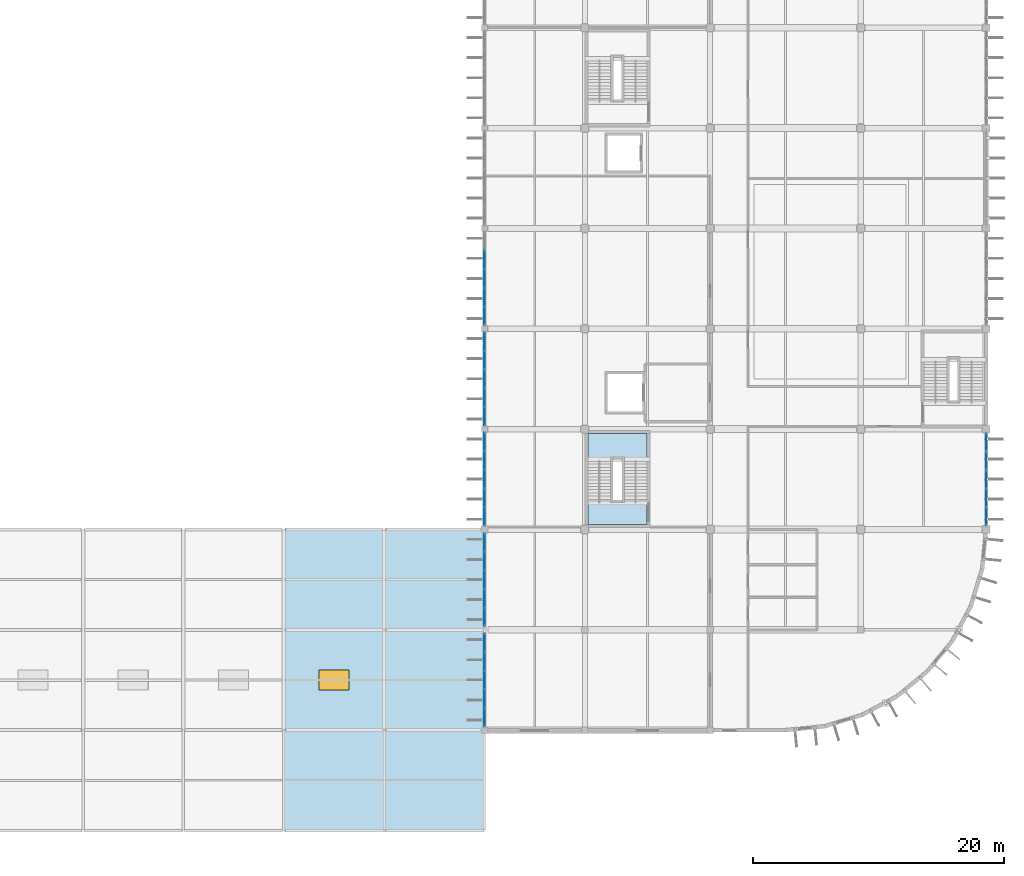
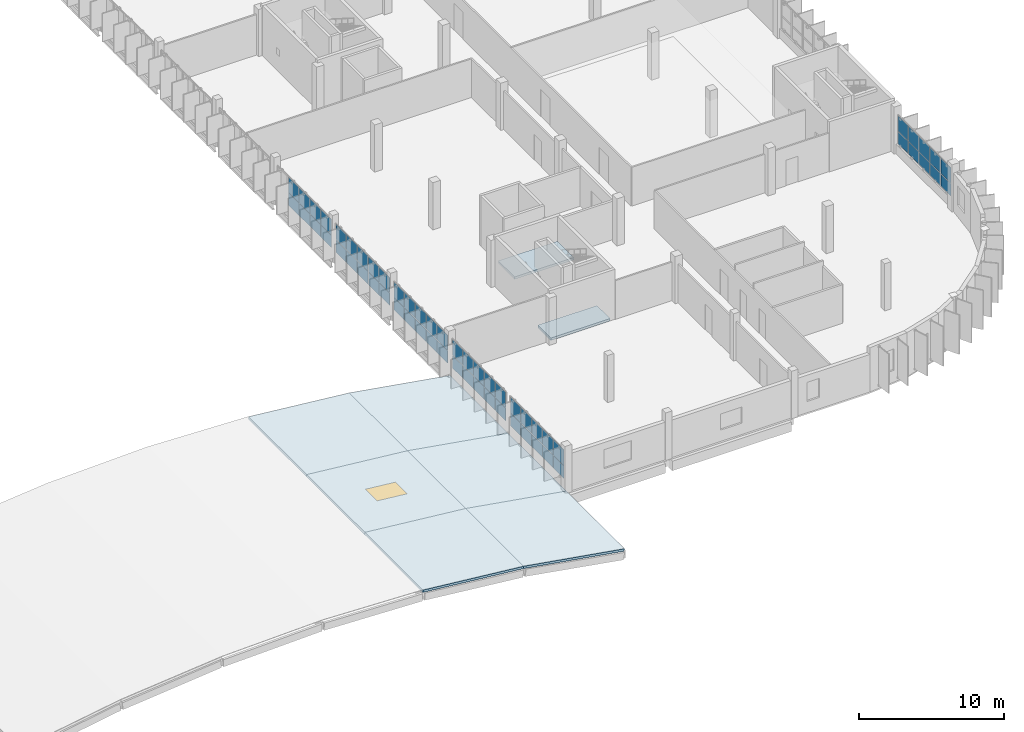
# One storey, part 42 of 66: 58 plates, 8 slabs, 1 window, 1 opening, 7 elements without a shape of their own.
"""IFC4 building model written with IfcOpenShell, lengths in metres."""

from ifc_helpers import new_model, si_unit, direction, frame, origin, origin_2d, place, context, subcontext, project, spatial, polyline, rectangle, outline, extrude, material, layer, layer_set, type_object, element, fill, aggregate, save


model = new_model("IFC4")

# Units and contexts
model_context = context("Model", 3, precision=1e-05, world=origin(), true_north=direction((0.0, 1.0)))
body_context = subcontext(model_context, "Body", "Model", "MODEL_VIEW")
ifc_project = project(units=[si_unit("LENGTHUNIT", "METRE"), si_unit("AREAUNIT", "SQUARE_METRE"), si_unit("VOLUMEUNIT", "CUBIC_METRE"), si_unit("PLANEANGLEUNIT", "RADIAN"), si_unit("MASSUNIT", "GRAM", prefix="KILO")], contexts=[model_context])

# Site, building, storey
site_placement = place(None, origin())
site = spatial("IfcSite", under=ifc_project, at=site_placement, CompositionType="ELEMENT")
building_placement = place(site_placement, origin())
building = spatial("IfcBuilding", under=site, at=building_placement, Name="Drelvana Railside Aquatics Centre", CompositionType="ELEMENT")
storey_placement = place(building_placement, frame((0.0, 0.0, 10.199951171875)))
storey = spatial("IfcBuildingStorey", under=building, at=storey_placement, Name="L02", CompositionType="ELEMENT", Elevation=10.199951171875)

# Curtain wall, plates
ifc_material_1 = material(Name="Bronze-anodised aluminium curtain wall", Category="aluminium")
ifc_layer_1 = layer(ifc_material_1, 0.175048828125, Name="Bronze-anodised aluminium curtain wall")
ifc_layer_set_1 = layer_set([ifc_layer_1], Name="Bronze-anodised aluminium curtain wall")
curtain_wall_type = type_object("IfcCurtainWallType", Name="CW-Z6-WING", PredefinedType="NOTDEFINED", material=ifc_layer_set_1)
curtain_wall_1_placement = place(storey_placement, origin())
curtain_wall_1 = element("IfcCurtainWall", 1, at=curtain_wall_1_placement, inside=storey, type_object=curtain_wall_type, Name="Curtain wall CW-06-135", PredefinedType="NOTDEFINED")
ifc_material_2 = material(Name="Double-glazed low-e solar-control glass", Category="glass")
ifc_layer_2 = layer(ifc_material_2, 0.02392578125, Name="Double-glazed low-e solar-control glass")
ifc_layer_set_2 = layer_set([ifc_layer_2], Name="Double-glazed low-e solar-control glass")
plate_type = type_object("IfcPlateType", Name="CW-Z6-WING-PAN", PredefinedType="CURTAIN_PANEL", material=ifc_layer_set_2)
plate_1_placement = place(storey_placement, frame((144.0, 9.031494140625, 0.84912109375), z_axis=(0.0, 0.0, 1.0), x_axis=(0.0, 1.0, 0.0)))
plate_1 = element("IfcPlate", 2, at=plate_1_placement, type_object=plate_type, Name="CW-06 panel 1.1", PredefinedType="CURTAIN_PANEL", context=body_context, shape_type="SweptSolid", body=[
    extrude(rectangle(XDim=1.40478515625, YDim=0.02392578125, at=origin_2d()), origin(), (0.0, 0.0, 1.0), 1.048095703125),
])
plate_2_placement = place(storey_placement, frame((144.0, 9.031494140625, 1.94677734375), z_axis=(0.0, 0.0, 1.0), x_axis=(0.0, 1.0, 0.0)))
plate_2 = element("IfcPlate", 3, at=plate_2_placement, type_object=plate_type, Name="CW-06 panel 1.2", PredefinedType="CURTAIN_PANEL", context=body_context, shape_type="SweptSolid", body=[
    extrude(rectangle(XDim=1.40478515625, YDim=0.02392578125, at=origin_2d()), origin(), (0.0, 0.0, 1.0), 1.298095703125),
])
plate_3_placement = place(storey_placement, frame((144.0, 10.507568359375, 0.84912109375), z_axis=(0.0, 0.0, 1.0), x_axis=(0.0, 1.0, 0.0)))
plate_3 = element("IfcPlate", 4, at=plate_3_placement, type_object=plate_type, Name="CW-06 panel 2.1", PredefinedType="CURTAIN_PANEL", context=body_context, shape_type="SweptSolid", body=[
    extrude(rectangle(XDim=1.4375, YDim=0.02392578125, at=origin_2d()), origin(), (0.0, 0.0, 1.0), 1.048095703125),
])
plate_4_placement = place(storey_placement, frame((144.0, 10.507568359375, 1.94677734375), z_axis=(0.0, 0.0, 1.0), x_axis=(0.0, 1.0, 0.0)))
plate_4 = element("IfcPlate", 5, at=plate_4_placement, type_object=plate_type, Name="CW-06 panel 2.2", PredefinedType="CURTAIN_PANEL", context=body_context, shape_type="SweptSolid", body=[
    extrude(rectangle(XDim=1.4375, YDim=0.02392578125, at=origin_2d()), origin(), (0.0, 0.0, 1.0), 1.298095703125),
])
plate_5_placement = place(storey_placement, frame((144.0, 12.0, 0.84912109375), z_axis=(0.0, 0.0, 1.0), x_axis=(0.0, 1.0, 0.0)))
plate_5 = element("IfcPlate", 6, at=plate_5_placement, type_object=plate_type, Name="CW-06 panel 3.1", PredefinedType="CURTAIN_PANEL", context=body_context, shape_type="SweptSolid", body=[
    extrude(rectangle(XDim=1.4375, YDim=0.02392578125, at=origin_2d()), origin(), (0.0, 0.0, 1.0), 1.048095703125),
])
plate_6_placement = place(storey_placement, frame((144.0, 12.0, 1.94677734375), z_axis=(0.0, 0.0, 1.0), x_axis=(0.0, 1.0, 0.0)))
plate_6 = element("IfcPlate", 7, at=plate_6_placement, type_object=plate_type, Name="CW-06 panel 3.2", PredefinedType="CURTAIN_PANEL", context=body_context, shape_type="SweptSolid", body=[
    extrude(rectangle(XDim=1.4375, YDim=0.02392578125, at=origin_2d()), origin(), (0.0, 0.0, 1.0), 1.298095703125),
])
plate_7_placement = place(storey_placement, frame((144.0, 13.492431640625, 0.84912109375), z_axis=(0.0, 0.0, 1.0), x_axis=(0.0, 1.0, 0.0)))
plate_7 = element("IfcPlate", 8, at=plate_7_placement, type_object=plate_type, Name="CW-06 panel 4.1", PredefinedType="CURTAIN_PANEL", context=body_context, shape_type="SweptSolid", body=[
    extrude(rectangle(XDim=1.4375, YDim=0.02392578125, at=origin_2d()), origin(), (0.0, 0.0, 1.0), 1.048095703125),
])
plate_8_placement = place(storey_placement, frame((144.0, 13.492431640625, 1.94677734375), z_axis=(0.0, 0.0, 1.0), x_axis=(0.0, 1.0, 0.0)))
plate_8 = element("IfcPlate", 9, at=plate_8_placement, type_object=plate_type, Name="CW-06 panel 4.2", PredefinedType="CURTAIN_PANEL", context=body_context, shape_type="SweptSolid", body=[
    extrude(rectangle(XDim=1.4375, YDim=0.02392578125, at=origin_2d()), origin(), (0.0, 0.0, 1.0), 1.298095703125),
])
plate_9_placement = place(storey_placement, frame((144.0, 14.968505859375, 0.84912109375), z_axis=(0.0, 0.0, 1.0), x_axis=(0.0, 1.0, 0.0)))
plate_9 = element("IfcPlate", 10, at=plate_9_placement, type_object=plate_type, Name="CW-06 panel 5.1", PredefinedType="CURTAIN_PANEL", context=body_context, shape_type="SweptSolid", body=[
    extrude(rectangle(XDim=1.40478515625, YDim=0.02392578125, at=origin_2d()), origin(), (0.0, 0.0, 1.0), 1.048095703125),
])
plate_10_placement = place(storey_placement, frame((144.0, 14.968505859375, 1.94677734375), z_axis=(0.0, 0.0, 1.0), x_axis=(0.0, 1.0, 0.0)))
plate_10 = element("IfcPlate", 11, at=plate_10_placement, type_object=plate_type, Name="CW-06 panel 5.2", PredefinedType="CURTAIN_PANEL", context=body_context, shape_type="SweptSolid", body=[
    extrude(rectangle(XDim=1.40478515625, YDim=0.02392578125, at=origin_2d()), origin(), (0.0, 0.0, 1.0), 1.298095703125),
])
aggregate(curtain_wall_1, [plate_1, plate_2, plate_3, plate_4, plate_5, plate_6, plate_7, plate_8, plate_9, plate_10])

curtain_wall_2_placement = place(storey_placement, origin())
curtain_wall_2 = element("IfcCurtainWall", 12, at=curtain_wall_2_placement, inside=storey, type_object=curtain_wall_type, Name="Curtain wall CW-06-136", PredefinedType="NOTDEFINED")
plate_11_placement = place(storey_placement, frame((144.0, 17.031494140625, 0.84912109375), z_axis=(0.0, 0.0, 1.0), x_axis=(0.0, 1.0, 0.0)))
plate_11 = element("IfcPlate", 13, at=plate_11_placement, type_object=plate_type, Name="CW-06 panel 1.1", PredefinedType="CURTAIN_PANEL", context=body_context, shape_type="SweptSolid", body=[
    extrude(rectangle(XDim=1.40478515625, YDim=0.02392578125, at=origin_2d()), origin(), (0.0, 0.0, 1.0), 1.048095703125),
])
plate_12_placement = place(storey_placement, frame((144.0, 17.031494140625, 1.94677734375), z_axis=(0.0, 0.0, 1.0), x_axis=(0.0, 1.0, 0.0)))
plate_12 = element("IfcPlate", 14, at=plate_12_placement, type_object=plate_type, Name="CW-06 panel 1.2", PredefinedType="CURTAIN_PANEL", context=body_context, shape_type="SweptSolid", body=[
    extrude(rectangle(XDim=1.40478515625, YDim=0.02392578125, at=origin_2d()), origin(), (0.0, 0.0, 1.0), 1.298095703125),
])
plate_13_placement = place(storey_placement, frame((144.0, 18.507568359375, 0.84912109375), z_axis=(0.0, 0.0, 1.0), x_axis=(0.0, 1.0, 0.0)))
plate_13 = element("IfcPlate", 15, at=plate_13_placement, type_object=plate_type, Name="CW-06 panel 2.1", PredefinedType="CURTAIN_PANEL", context=body_context, shape_type="SweptSolid", body=[
    extrude(rectangle(XDim=1.4375, YDim=0.02392578125, at=origin_2d()), origin(), (0.0, 0.0, 1.0), 1.048095703125),
])
plate_14_placement = place(storey_placement, frame((144.0, 18.507568359375, 1.94677734375), z_axis=(0.0, 0.0, 1.0), x_axis=(0.0, 1.0, 0.0)))
plate_14 = element("IfcPlate", 16, at=plate_14_placement, type_object=plate_type, Name="CW-06 panel 2.2", PredefinedType="CURTAIN_PANEL", context=body_context, shape_type="SweptSolid", body=[
    extrude(rectangle(XDim=1.4375, YDim=0.02392578125, at=origin_2d()), origin(), (0.0, 0.0, 1.0), 1.298095703125),
])
plate_15_placement = place(storey_placement, frame((144.0, 20.0, 0.84912109375), z_axis=(0.0, 0.0, 1.0), x_axis=(0.0, 1.0, 0.0)))
plate_15 = element("IfcPlate", 17, at=plate_15_placement, type_object=plate_type, Name="CW-06 panel 3.1", PredefinedType="CURTAIN_PANEL", context=body_context, shape_type="SweptSolid", body=[
    extrude(rectangle(XDim=1.4375, YDim=0.02392578125, at=origin_2d()), origin(), (0.0, 0.0, 1.0), 1.048095703125),
])
plate_16_placement = place(storey_placement, frame((144.0, 20.0, 1.94677734375), z_axis=(0.0, 0.0, 1.0), x_axis=(0.0, 1.0, 0.0)))
plate_16 = element("IfcPlate", 18, at=plate_16_placement, type_object=plate_type, Name="CW-06 panel 3.2", PredefinedType="CURTAIN_PANEL", context=body_context, shape_type="SweptSolid", body=[
    extrude(rectangle(XDim=1.4375, YDim=0.02392578125, at=origin_2d()), origin(), (0.0, 0.0, 1.0), 1.298095703125),
])
plate_17_placement = place(storey_placement, frame((144.0, 21.492431640625, 0.84912109375), z_axis=(0.0, 0.0, 1.0), x_axis=(0.0, 1.0, 0.0)))
plate_17 = element("IfcPlate", 19, at=plate_17_placement, type_object=plate_type, Name="CW-06 panel 4.1", PredefinedType="CURTAIN_PANEL", context=body_context, shape_type="SweptSolid", body=[
    extrude(rectangle(XDim=1.4375, YDim=0.02392578125, at=origin_2d()), origin(), (0.0, 0.0, 1.0), 1.048095703125),
])
plate_18_placement = place(storey_placement, frame((144.0, 21.492431640625, 1.94677734375), z_axis=(0.0, 0.0, 1.0), x_axis=(0.0, 1.0, 0.0)))
plate_18 = element("IfcPlate", 20, at=plate_18_placement, type_object=plate_type, Name="CW-06 panel 4.2", PredefinedType="CURTAIN_PANEL", context=body_context, shape_type="SweptSolid", body=[
    extrude(rectangle(XDim=1.4375, YDim=0.02392578125, at=origin_2d()), origin(), (0.0, 0.0, 1.0), 1.298095703125),
])
plate_19_placement = place(storey_placement, frame((144.0, 22.968505859375, 0.84912109375), z_axis=(0.0, 0.0, 1.0), x_axis=(0.0, 1.0, 0.0)))
plate_19 = element("IfcPlate", 21, at=plate_19_placement, type_object=plate_type, Name="CW-06 panel 5.1", PredefinedType="CURTAIN_PANEL", context=body_context, shape_type="SweptSolid", body=[
    extrude(rectangle(XDim=1.40478515625, YDim=0.02392578125, at=origin_2d()), origin(), (0.0, 0.0, 1.0), 1.048095703125),
])
plate_20_placement = place(storey_placement, frame((144.0, 22.968505859375, 1.94677734375), z_axis=(0.0, 0.0, 1.0), x_axis=(0.0, 1.0, 0.0)))
plate_20 = element("IfcPlate", 22, at=plate_20_placement, type_object=plate_type, Name="CW-06 panel 5.2", PredefinedType="CURTAIN_PANEL", context=body_context, shape_type="SweptSolid", body=[
    extrude(rectangle(XDim=1.40478515625, YDim=0.02392578125, at=origin_2d()), origin(), (0.0, 0.0, 1.0), 1.298095703125),
])
aggregate(curtain_wall_2, [plate_11, plate_12, plate_13, plate_14, plate_15, plate_16, plate_17, plate_18, plate_19, plate_20])

curtain_wall_3_placement = place(storey_placement, origin())
curtain_wall_3 = element("IfcCurtainWall", 23, at=curtain_wall_3_placement, inside=storey, type_object=curtain_wall_type, Name="Curtain wall CW-06-138", PredefinedType="NOTDEFINED")
plate_21_placement = place(storey_placement, frame((144.0, 25.033935546875, 0.84912109375), z_axis=(0.0, 0.0, 1.0), x_axis=(0.0, 1.0, 0.0)))
plate_21 = element("IfcPlate", 24, at=plate_21_placement, type_object=plate_type, Name="CW-06 panel 1.1", PredefinedType="CURTAIN_PANEL", context=body_context, shape_type="SweptSolid", body=[
    extrude(rectangle(XDim=1.409912109375, YDim=0.02392578125, at=origin_2d()), origin(), (0.0, 0.0, 1.0), 1.02490234375),
])
plate_22_placement = place(storey_placement, frame((144.0, 25.033935546875, 1.924072265625), z_axis=(0.0, 0.0, 1.0), x_axis=(0.0, 1.0, 0.0)))
plate_22 = element("IfcPlate", 25, at=plate_22_placement, type_object=plate_type, Name="CW-06 panel 1.2", PredefinedType="CURTAIN_PANEL", context=body_context, shape_type="SweptSolid", body=[
    extrude(rectangle(XDim=1.409912109375, YDim=0.02392578125, at=origin_2d()), origin(), (0.0, 0.0, 1.0), 1.27099609375),
])
plate_23_placement = place(storey_placement, frame((144.0, 26.51513671875, 0.84912109375), z_axis=(0.0, 0.0, 1.0), x_axis=(0.0, 1.0, 0.0)))
plate_23 = element("IfcPlate", 26, at=plate_23_placement, type_object=plate_type, Name="CW-06 panel 2.1", PredefinedType="CURTAIN_PANEL", context=body_context, shape_type="SweptSolid", body=[
    extrude(rectangle(XDim=1.4423828125, YDim=0.02392578125, at=origin_2d()), origin(), (0.0, 0.0, 1.0), 1.02490234375),
])
plate_24_placement = place(storey_placement, frame((144.0, 26.51513671875, 1.924072265625), z_axis=(0.0, 0.0, 1.0), x_axis=(0.0, 1.0, 0.0)))
plate_24 = element("IfcPlate", 27, at=plate_24_placement, type_object=plate_type, Name="CW-06 panel 2.2", PredefinedType="CURTAIN_PANEL", context=body_context, shape_type="SweptSolid", body=[
    extrude(rectangle(XDim=1.4423828125, YDim=0.02392578125, at=origin_2d()), origin(), (0.0, 0.0, 1.0), 1.27099609375),
])
plate_25_placement = place(storey_placement, frame((144.0, 28.012451171875, 0.84912109375), z_axis=(0.0, 0.0, 1.0), x_axis=(0.0, 1.0, 0.0)))
plate_25 = element("IfcPlate", 28, at=plate_25_placement, type_object=plate_type, Name="CW-06 panel 3.1", PredefinedType="CURTAIN_PANEL", context=body_context, shape_type="SweptSolid", body=[
    extrude(rectangle(XDim=1.4423828125, YDim=0.02392578125, at=origin_2d()), origin(), (0.0, 0.0, 1.0), 1.02490234375),
])
plate_26_placement = place(storey_placement, frame((144.0, 28.012451171875, 1.924072265625), z_axis=(0.0, 0.0, 1.0), x_axis=(0.0, 1.0, 0.0)))
plate_26 = element("IfcPlate", 29, at=plate_26_placement, type_object=plate_type, Name="CW-06 panel 3.2", PredefinedType="CURTAIN_PANEL", context=body_context, shape_type="SweptSolid", body=[
    extrude(rectangle(XDim=1.4423828125, YDim=0.02392578125, at=origin_2d()), origin(), (0.0, 0.0, 1.0), 1.27099609375),
])
plate_27_placement = place(storey_placement, frame((144.0, 29.510009765625, 0.84912109375), z_axis=(0.0, 0.0, 1.0), x_axis=(0.0, 1.0, 0.0)))
plate_27 = element("IfcPlate", 30, at=plate_27_placement, type_object=plate_type, Name="CW-06 panel 4.1", PredefinedType="CURTAIN_PANEL", context=body_context, shape_type="SweptSolid", body=[
    extrude(rectangle(XDim=1.4423828125, YDim=0.02392578125, at=origin_2d()), origin(), (0.0, 0.0, 1.0), 1.02490234375),
])
plate_28_placement = place(storey_placement, frame((144.0, 29.510009765625, 1.924072265625), z_axis=(0.0, 0.0, 1.0), x_axis=(0.0, 1.0, 0.0)))
plate_28 = element("IfcPlate", 31, at=plate_28_placement, type_object=plate_type, Name="CW-06 panel 4.2", PredefinedType="CURTAIN_PANEL", context=body_context, shape_type="SweptSolid", body=[
    extrude(rectangle(XDim=1.4423828125, YDim=0.02392578125, at=origin_2d()), origin(), (0.0, 0.0, 1.0), 1.27099609375),
])
plate_29_placement = place(storey_placement, frame((144.0, 30.990966796875, 0.84912109375), z_axis=(0.0, 0.0, 1.0), x_axis=(0.0, 1.0, 0.0)))
plate_29 = element("IfcPlate", 32, at=plate_29_placement, type_object=plate_type, Name="CW-06 panel 5.1", PredefinedType="CURTAIN_PANEL", context=body_context, shape_type="SweptSolid", body=[
    extrude(rectangle(XDim=1.409912109375, YDim=0.02392578125, at=origin_2d()), origin(), (0.0, 0.0, 1.0), 1.02490234375),
])
plate_30_placement = place(storey_placement, frame((144.0, 30.990966796875, 1.924072265625), z_axis=(0.0, 0.0, 1.0), x_axis=(0.0, 1.0, 0.0)))
plate_30 = element("IfcPlate", 33, at=plate_30_placement, type_object=plate_type, Name="CW-06 panel 5.2", PredefinedType="CURTAIN_PANEL", context=body_context, shape_type="SweptSolid", body=[
    extrude(rectangle(XDim=1.409912109375, YDim=0.02392578125, at=origin_2d()), origin(), (0.0, 0.0, 1.0), 1.27099609375),
])
aggregate(curtain_wall_3, [plate_21, plate_22, plate_23, plate_24, plate_25, plate_26, plate_27, plate_28, plate_29, plate_30])

curtain_wall_4_placement = place(storey_placement, origin())
curtain_wall_4 = element("IfcCurtainWall", 34, at=curtain_wall_4_placement, inside=storey, type_object=curtain_wall_type, Name="Curtain wall CW-06-142", PredefinedType="NOTDEFINED")
plate_31_placement = place(storey_placement, frame((144.0, 33.011474609375, 0.84912109375), z_axis=(0.0, 0.0, 1.0), x_axis=(0.0, 1.0, 0.0)))
plate_31 = element("IfcPlate", 35, at=plate_31_placement, type_object=plate_type, Name="CW-06 panel 1.1", PredefinedType="CURTAIN_PANEL", context=body_context, shape_type="SweptSolid", body=[
    extrude(rectangle(XDim=1.414794921875, YDim=0.02392578125, at=origin_2d()), origin(), (0.0, 0.0, 1.0), 1.02490234375),
])
plate_32_placement = place(storey_placement, frame((144.0, 33.011474609375, 1.924072265625), z_axis=(0.0, 0.0, 1.0), x_axis=(0.0, 1.0, 0.0)))
plate_32 = element("IfcPlate", 36, at=plate_32_placement, type_object=plate_type, Name="CW-06 panel 1.2", PredefinedType="CURTAIN_PANEL", context=body_context, shape_type="SweptSolid", body=[
    extrude(rectangle(XDim=1.414794921875, YDim=0.02392578125, at=origin_2d()), origin(), (0.0, 0.0, 1.0), 1.27099609375),
])
plate_33_placement = place(storey_placement, frame((144.0, 34.49755859375, 0.84912109375), z_axis=(0.0, 0.0, 1.0), x_axis=(0.0, 1.0, 0.0)))
plate_33 = element("IfcPlate", 37, at=plate_33_placement, type_object=plate_type, Name="CW-06 panel 2.1", PredefinedType="CURTAIN_PANEL", context=body_context, shape_type="SweptSolid", body=[
    extrude(rectangle(XDim=1.447509765625, YDim=0.02392578125, at=origin_2d()), origin(), (0.0, 0.0, 1.0), 1.02490234375),
])
plate_34_placement = place(storey_placement, frame((144.0, 34.49755859375, 1.924072265625), z_axis=(0.0, 0.0, 1.0), x_axis=(0.0, 1.0, 0.0)))
plate_34 = element("IfcPlate", 38, at=plate_34_placement, type_object=plate_type, Name="CW-06 panel 2.2", PredefinedType="CURTAIN_PANEL", context=body_context, shape_type="SweptSolid", body=[
    extrude(rectangle(XDim=1.447509765625, YDim=0.02392578125, at=origin_2d()), origin(), (0.0, 0.0, 1.0), 1.27099609375),
])
plate_35_placement = place(storey_placement, frame((144.0, 36.0, 0.84912109375), z_axis=(0.0, 0.0, 1.0), x_axis=(0.0, 1.0, 0.0)))
plate_35 = element("IfcPlate", 39, at=plate_35_placement, type_object=plate_type, Name="CW-06 panel 3.1", PredefinedType="CURTAIN_PANEL", context=body_context, shape_type="SweptSolid", body=[
    extrude(rectangle(XDim=1.447509765625, YDim=0.02392578125, at=origin_2d()), origin(), (0.0, 0.0, 1.0), 1.02490234375),
])
plate_36_placement = place(storey_placement, frame((144.0, 36.0, 1.924072265625), z_axis=(0.0, 0.0, 1.0), x_axis=(0.0, 1.0, 0.0)))
plate_36 = element("IfcPlate", 40, at=plate_36_placement, type_object=plate_type, Name="CW-06 panel 3.2", PredefinedType="CURTAIN_PANEL", context=body_context, shape_type="SweptSolid", body=[
    extrude(rectangle(XDim=1.447509765625, YDim=0.02392578125, at=origin_2d()), origin(), (0.0, 0.0, 1.0), 1.27099609375),
])
plate_37_placement = place(storey_placement, frame((144.0, 37.50244140625, 0.84912109375), z_axis=(0.0, 0.0, 1.0), x_axis=(0.0, 1.0, 0.0)))
plate_37 = element("IfcPlate", 41, at=plate_37_placement, type_object=plate_type, Name="CW-06 panel 4.1", PredefinedType="CURTAIN_PANEL", context=body_context, shape_type="SweptSolid", body=[
    extrude(rectangle(XDim=1.447509765625, YDim=0.02392578125, at=origin_2d()), origin(), (0.0, 0.0, 1.0), 1.02490234375),
])
plate_38_placement = place(storey_placement, frame((144.0, 37.50244140625, 1.924072265625), z_axis=(0.0, 0.0, 1.0), x_axis=(0.0, 1.0, 0.0)))
plate_38 = element("IfcPlate", 42, at=plate_38_placement, type_object=plate_type, Name="CW-06 panel 4.2", PredefinedType="CURTAIN_PANEL", context=body_context, shape_type="SweptSolid", body=[
    extrude(rectangle(XDim=1.447509765625, YDim=0.02392578125, at=origin_2d()), origin(), (0.0, 0.0, 1.0), 1.27099609375),
])
plate_39_placement = place(storey_placement, frame((144.0, 38.988525390625, 0.84912109375), z_axis=(0.0, 0.0, 1.0), x_axis=(0.0, 1.0, 0.0)))
plate_39 = element("IfcPlate", 43, at=plate_39_placement, type_object=plate_type, Name="CW-06 panel 5.1", PredefinedType="CURTAIN_PANEL", context=body_context, shape_type="SweptSolid", body=[
    extrude(rectangle(XDim=1.414794921875, YDim=0.02392578125, at=origin_2d()), origin(), (0.0, 0.0, 1.0), 1.02490234375),
])
plate_40_placement = place(storey_placement, frame((144.0, 38.988525390625, 1.924072265625), z_axis=(0.0, 0.0, 1.0), x_axis=(0.0, 1.0, 0.0)))
plate_40 = element("IfcPlate", 44, at=plate_40_placement, type_object=plate_type, Name="CW-06 panel 5.2", PredefinedType="CURTAIN_PANEL", context=body_context, shape_type="SweptSolid", body=[
    extrude(rectangle(XDim=1.414794921875, YDim=0.02392578125, at=origin_2d()), origin(), (0.0, 0.0, 1.0), 1.27099609375),
])
aggregate(curtain_wall_4, [plate_31, plate_32, plate_33, plate_34, plate_35, plate_36, plate_37, plate_38, plate_39, plate_40])

curtain_wall_5_placement = place(storey_placement, origin())
curtain_wall_5 = element("IfcCurtainWall", 45, at=curtain_wall_5_placement, inside=storey, type_object=curtain_wall_type, Name="Curtain wall CW-06-146", PredefinedType="NOTDEFINED")
plate_41_placement = place(storey_placement, frame((144.0, 41.011474609375, 0.84912109375), z_axis=(0.0, 0.0, 1.0), x_axis=(0.0, 1.0, 0.0)))
plate_41 = element("IfcPlate", 46, at=plate_41_placement, type_object=plate_type, Name="CW-06 panel 1.1", PredefinedType="CURTAIN_PANEL", context=body_context, shape_type="SweptSolid", body=[
    extrude(rectangle(XDim=1.414794921875, YDim=0.02392578125, at=origin_2d()), origin(), (0.0, 0.0, 1.0), 1.02490234375),
])
plate_42_placement = place(storey_placement, frame((144.0, 41.011474609375, 1.924072265625), z_axis=(0.0, 0.0, 1.0), x_axis=(0.0, 1.0, 0.0)))
plate_42 = element("IfcPlate", 47, at=plate_42_placement, type_object=plate_type, Name="CW-06 panel 1.2", PredefinedType="CURTAIN_PANEL", context=body_context, shape_type="SweptSolid", body=[
    extrude(rectangle(XDim=1.414794921875, YDim=0.02392578125, at=origin_2d()), origin(), (0.0, 0.0, 1.0), 1.27099609375),
])
plate_43_placement = place(storey_placement, frame((144.0, 42.49755859375, 0.84912109375), z_axis=(0.0, 0.0, 1.0), x_axis=(0.0, 1.0, 0.0)))
plate_43 = element("IfcPlate", 48, at=plate_43_placement, type_object=plate_type, Name="CW-06 panel 2.1", PredefinedType="CURTAIN_PANEL", context=body_context, shape_type="SweptSolid", body=[
    extrude(rectangle(XDim=1.447509765625, YDim=0.02392578125, at=origin_2d()), origin(), (0.0, 0.0, 1.0), 1.02490234375),
])
plate_44_placement = place(storey_placement, frame((144.0, 42.49755859375, 1.924072265625), z_axis=(0.0, 0.0, 1.0), x_axis=(0.0, 1.0, 0.0)))
plate_44 = element("IfcPlate", 49, at=plate_44_placement, type_object=plate_type, Name="CW-06 panel 2.2", PredefinedType="CURTAIN_PANEL", context=body_context, shape_type="SweptSolid", body=[
    extrude(rectangle(XDim=1.447509765625, YDim=0.02392578125, at=origin_2d()), origin(), (0.0, 0.0, 1.0), 1.27099609375),
])
plate_45_placement = place(storey_placement, frame((144.0, 44.0, 0.84912109375), z_axis=(0.0, 0.0, 1.0), x_axis=(0.0, 1.0, 0.0)))
plate_45 = element("IfcPlate", 50, at=plate_45_placement, type_object=plate_type, Name="CW-06 panel 3.1", PredefinedType="CURTAIN_PANEL", context=body_context, shape_type="SweptSolid", body=[
    extrude(rectangle(XDim=1.447509765625, YDim=0.02392578125, at=origin_2d()), origin(), (0.0, 0.0, 1.0), 1.02490234375),
])
plate_46_placement = place(storey_placement, frame((144.0, 44.0, 1.924072265625), z_axis=(0.0, 0.0, 1.0), x_axis=(0.0, 1.0, 0.0)))
plate_46 = element("IfcPlate", 51, at=plate_46_placement, type_object=plate_type, Name="CW-06 panel 3.2", PredefinedType="CURTAIN_PANEL", context=body_context, shape_type="SweptSolid", body=[
    extrude(rectangle(XDim=1.447509765625, YDim=0.02392578125, at=origin_2d()), origin(), (0.0, 0.0, 1.0), 1.27099609375),
])
plate_47_placement = place(storey_placement, frame((144.0, 45.50244140625, 0.84912109375), z_axis=(0.0, 0.0, 1.0), x_axis=(0.0, 1.0, 0.0)))
plate_47 = element("IfcPlate", 52, at=plate_47_placement, type_object=plate_type, Name="CW-06 panel 4.1", PredefinedType="CURTAIN_PANEL", context=body_context, shape_type="SweptSolid", body=[
    extrude(rectangle(XDim=1.447509765625, YDim=0.02392578125, at=origin_2d()), origin(), (0.0, 0.0, 1.0), 1.02490234375),
])
plate_48_placement = place(storey_placement, frame((144.0, 45.50244140625, 1.924072265625), z_axis=(0.0, 0.0, 1.0), x_axis=(0.0, 1.0, 0.0)))
plate_48 = element("IfcPlate", 53, at=plate_48_placement, type_object=plate_type, Name="CW-06 panel 4.2", PredefinedType="CURTAIN_PANEL", context=body_context, shape_type="SweptSolid", body=[
    extrude(rectangle(XDim=1.447509765625, YDim=0.02392578125, at=origin_2d()), origin(), (0.0, 0.0, 1.0), 1.27099609375),
])
aggregate(curtain_wall_5, [plate_41, plate_42, plate_43, plate_44, plate_45, plate_46, plate_47, plate_48])

curtain_wall_6_placement = place(storey_placement, origin())
curtain_wall_6 = element("IfcCurtainWall", 54, at=curtain_wall_6_placement, inside=storey, type_object=curtain_wall_type, Name="Curtain wall CW-06-168", PredefinedType="NOTDEFINED")
plate_49_placement = place(storey_placement, frame((184.0, 25.051513671875, 0.84912109375), z_axis=(0.0, 0.0, 1.0), x_axis=(0.0, 1.0, 0.0)))
plate_49 = element("IfcPlate", 55, at=plate_49_placement, type_object=plate_type, Name="CW-06 panel 1.1", PredefinedType="CURTAIN_PANEL", context=body_context, shape_type="SweptSolid", body=[
    extrude(rectangle(XDim=1.39501953125, YDim=0.02392578125, at=origin_2d()), origin(), (0.0, 0.0, 1.0), 1.02490234375),
])
plate_50_placement = place(storey_placement, frame((184.0, 25.051513671875, 1.924072265625), z_axis=(0.0, 0.0, 1.0), x_axis=(0.0, 1.0, 0.0)))
plate_50 = element("IfcPlate", 56, at=plate_50_placement, type_object=plate_type, Name="CW-06 panel 1.2", PredefinedType="CURTAIN_PANEL", context=body_context, shape_type="SweptSolid", body=[
    extrude(rectangle(XDim=1.39501953125, YDim=0.02392578125, at=origin_2d()), origin(), (0.0, 0.0, 1.0), 1.27099609375),
])
plate_51_placement = place(storey_placement, frame((184.0, 26.517578125, 0.84912109375), z_axis=(0.0, 0.0, 1.0), x_axis=(0.0, 1.0, 0.0)))
plate_51 = element("IfcPlate", 57, at=plate_51_placement, type_object=plate_type, Name="CW-06 panel 2.1", PredefinedType="CURTAIN_PANEL", context=body_context, shape_type="SweptSolid", body=[
    extrude(rectangle(XDim=1.427490234375, YDim=0.02392578125, at=origin_2d()), origin(), (0.0, 0.0, 1.0), 1.02490234375),
])
plate_52_placement = place(storey_placement, frame((184.0, 26.517578125, 1.924072265625), z_axis=(0.0, 0.0, 1.0), x_axis=(0.0, 1.0, 0.0)))
plate_52 = element("IfcPlate", 58, at=plate_52_placement, type_object=plate_type, Name="CW-06 panel 2.2", PredefinedType="CURTAIN_PANEL", context=body_context, shape_type="SweptSolid", body=[
    extrude(rectangle(XDim=1.427490234375, YDim=0.02392578125, at=origin_2d()), origin(), (0.0, 0.0, 1.0), 1.27099609375),
])
plate_53_placement = place(storey_placement, frame((184.0, 28.0, 0.84912109375), z_axis=(0.0, 0.0, 1.0), x_axis=(0.0, 1.0, 0.0)))
plate_53 = element("IfcPlate", 59, at=plate_53_placement, type_object=plate_type, Name="CW-06 panel 3.1", PredefinedType="CURTAIN_PANEL", context=body_context, shape_type="SweptSolid", body=[
    extrude(rectangle(XDim=1.427490234375, YDim=0.02392578125, at=origin_2d()), origin(), (0.0, 0.0, 1.0), 1.02490234375),
])
plate_54_placement = place(storey_placement, frame((184.0, 28.0, 1.924072265625), z_axis=(0.0, 0.0, 1.0), x_axis=(0.0, 1.0, 0.0)))
plate_54 = element("IfcPlate", 60, at=plate_54_placement, type_object=plate_type, Name="CW-06 panel 3.2", PredefinedType="CURTAIN_PANEL", context=body_context, shape_type="SweptSolid", body=[
    extrude(rectangle(XDim=1.427490234375, YDim=0.02392578125, at=origin_2d()), origin(), (0.0, 0.0, 1.0), 1.27099609375),
])
plate_55_placement = place(storey_placement, frame((184.0, 29.482421875, 0.84912109375), z_axis=(0.0, 0.0, 1.0), x_axis=(0.0, 1.0, 0.0)))
plate_55 = element("IfcPlate", 61, at=plate_55_placement, type_object=plate_type, Name="CW-06 panel 4.1", PredefinedType="CURTAIN_PANEL", context=body_context, shape_type="SweptSolid", body=[
    extrude(rectangle(XDim=1.427490234375, YDim=0.02392578125, at=origin_2d()), origin(), (0.0, 0.0, 1.0), 1.02490234375),
])
plate_56_placement = place(storey_placement, frame((184.0, 29.482421875, 1.924072265625), z_axis=(0.0, 0.0, 1.0), x_axis=(0.0, 1.0, 0.0)))
plate_56 = element("IfcPlate", 62, at=plate_56_placement, type_object=plate_type, Name="CW-06 panel 4.2", PredefinedType="CURTAIN_PANEL", context=body_context, shape_type="SweptSolid", body=[
    extrude(rectangle(XDim=1.427490234375, YDim=0.02392578125, at=origin_2d()), origin(), (0.0, 0.0, 1.0), 1.27099609375),
])
plate_57_placement = place(storey_placement, frame((184.0, 30.948486328125, 0.84912109375), z_axis=(0.0, 0.0, 1.0), x_axis=(0.0, 1.0, 0.0)))
plate_57 = element("IfcPlate", 63, at=plate_57_placement, type_object=plate_type, Name="CW-06 panel 5.1", PredefinedType="CURTAIN_PANEL", context=body_context, shape_type="SweptSolid", body=[
    extrude(rectangle(XDim=1.39501953125, YDim=0.02392578125, at=origin_2d()), origin(), (0.0, 0.0, 1.0), 1.02490234375),
])
plate_58_placement = place(storey_placement, frame((184.0, 30.948486328125, 1.924072265625), z_axis=(0.0, 0.0, 1.0), x_axis=(0.0, 1.0, 0.0)))
plate_58 = element("IfcPlate", 64, at=plate_58_placement, type_object=plate_type, Name="CW-06 panel 5.2", PredefinedType="CURTAIN_PANEL", context=body_context, shape_type="SweptSolid", body=[
    extrude(rectangle(XDim=1.39501953125, YDim=0.02392578125, at=origin_2d()), origin(), (0.0, 0.0, 1.0), 1.27099609375),
])
aggregate(curtain_wall_6, [plate_49, plate_50, plate_51, plate_52, plate_53, plate_54, plate_55, plate_56, plate_57, plate_58])

# Slab
ifc_material_3 = material(Name="Concrete C40/50", Category="concrete")
ifc_layer_3 = layer(ifc_material_3, 0.199951171875, Name="Concrete C40/50")
ifc_layer_set_3 = layer_set([ifc_layer_3], Name="Concrete C40/50")
slab_type_1 = type_object("IfcSlabType", Name="SL-LAND-200", PredefinedType="LANDING", material=ifc_layer_set_3)
slab_1_placement = place(storey_placement, frame((0.0, 0.0, -0.199951171875)))
element("IfcSlab", 65, at=slab_1_placement, inside=storey, type_object=slab_type_1, Name="Stair ST-06 L02 floor landing", PredefinedType="LANDING", context=body_context, shape_type="SweptSolid", body=[
    extrude(outline(polyline([(152.25, 24.409912109375), (156.949951171875, 24.409912109375), (156.949951171875, 26.2099609375), (152.25, 26.2099609375), (152.25, 24.409912109375)])), origin(), (0.0, 0.0, 1.0), 0.199951171875),
])

# Stair, slab
stair_type = type_object("IfcStairType", Name="ST-CORE-W160", PredefinedType="HALF_TURN_STAIR", material=ifc_material_3)
stair_placement = place(storey_placement, origin())
stair = element("IfcStair", 66, at=stair_placement, inside=storey, type_object=stair_type, Name="Exit stair ST-06 (L02 to L03)", PredefinedType="HALF_TURN_STAIR")
slab_2_placement = place(storey_placement, frame((0.0, 0.0, 1.900146484375)))
slab_2 = element("IfcSlab", 67, at=slab_2_placement, type_object=slab_type_1, Name="ST-NR landing 1", PredefinedType="LANDING", context=body_context, shape_type="SweptSolid", body=[
    extrude(outline(polyline([(152.25, 29.405029296875), (156.949951171875, 29.405029296875), (156.949951171875, 31.64990234375), (152.25, 31.64990234375), (152.25, 29.405029296875)])), origin(), (0.0, 0.0, 1.0), 0.199951171875),
])
aggregate(stair, [slab_2])

# Slab
ifc_layer_4 = layer(ifc_material_3, 0.18994140625, Name="Concrete C40/50")
ifc_layer_set_4 = layer_set([ifc_layer_4], Name="Concrete C40/50")
slab_type_2 = type_object("IfcSlabType", Name="SL-RF-190", PredefinedType="ROOF", material=ifc_layer_set_4)
slab_3_placement = place(storey_placement, frame((128.0, 0.0, 2.13330078125), z_axis=(0.099479666557, 0.0, 0.995039595163), x_axis=(0.995039595163, 0.0, -0.099479666557)))
element("IfcSlab", 68, at=slab_3_placement, inside=storey, type_object=slab_type_2, Name="Entrance Foyer Catalan vault slab 5.1", PredefinedType="ROOF", context=body_context, shape_type="SweptSolid", body=[
    extrude(outline(polyline([(0.0, 0.0), (8.039881064925462, 0.0), (8.039881064925462, 7.999999999999999), (0.0, 7.999999999999999), (0.0, 0.0)])), origin(), (0.0, 0.0, -1.0), 0.18994140625),
])

# Slab, opening, window
slab_4_placement = place(storey_placement, frame((128.0, 8.0, 2.13330078125), z_axis=(0.099479666557, 0.0, 0.995039595163), x_axis=(0.995039595163, 0.0, -0.099479666557)))
slab_4 = element("IfcSlab", 69, at=slab_4_placement, inside=storey, type_object=slab_type_2, Name="Entrance Foyer Catalan vault slab 5.2", PredefinedType="ROOF", context=body_context, shape_type="SweptSolid", body=[
    extrude(outline(polyline([(0.0, 0.0), (8.039881064925462, 0.0), (8.039881064925462, 7.999999999999999), (0.0, 7.999999999999999), (0.0, 0.0)])), origin(), (0.0, 0.0, -1.0), 0.18994140625),
])
opening_placement = place(slab_4_placement, frame((4.02001953125, 4.0, 0.010009765625)))
opening = element("IfcOpeningElement", 70, at=opening_placement, cuts=slab_4, Name="Opening SK-01", PredefinedType="OPENING", context=body_context, shape_type="SweptSolid", body=[
    extrude(rectangle(XDim=2.39990234375, YDim=1.60009765625, at=origin_2d()), origin(), (0.0, 0.0, -1.0), 0.2099609375),
])
ifc_material_4 = material(Name="Laminated solar-control safety glass", Category="glass")
window_type = type_object("IfcWindowType", Name="WIN-SK-01", PartitioningType="SINGLE_PANEL", PredefinedType="SKYLIGHT", material=ifc_material_4)
window_placement = place(slab_4_placement, frame((4.02001953125, 4.0, 0.0)))
window = element("IfcWindow", 71, at=window_placement, inside=storey, type_object=window_type, Name="Entrance Foyer vault rooflight 4", OverallHeight=1.60009765625, OverallWidth=2.39990234375, PartitioningType="SINGLE_PANEL", PredefinedType="SKYLIGHT", context=body_context, shape_type="SweptSolid", body=[
    extrude(rectangle(XDim=2.39990234375, YDim=1.60009765625, at=origin_2d()), origin(), (0.0, 0.0, -1.0), 0.06005859375),
])
fill(opening, window)

# Slabs
slab_5_placement = place(storey_placement, frame((128.0, 16.0, 2.13330078125), z_axis=(0.099479666557, 0.0, 0.995039595163), x_axis=(0.995039595163, 0.0, -0.099479666557)))
element("IfcSlab", 72, at=slab_5_placement, inside=storey, type_object=slab_type_2, Name="Entrance Foyer Catalan vault slab 5.3", PredefinedType="ROOF", context=body_context, shape_type="SweptSolid", body=[
    extrude(outline(polyline([(0.0, 0.0), (8.039881064925462, 0.0), (8.039881064925462, 7.999999999999999), (0.0, 7.999999999999999), (0.0, 0.0)])), origin(), (0.0, 0.0, -1.0), 0.18994140625),
])
for number, where, z_axis, x_axis, name in (
    (73, (136.0, 0.0, 1.33349609375), (0.16441851306, 0.0, 0.986390669341), (0.986390669341, 0.0, -0.16441851306), "Entrance Foyer Catalan vault slab 6.1"),
    (74, (136.0, 8.0, 1.33349609375), (0.16441851306, 0.0, 0.986390669341), (0.986390669341, 0.0, -0.16441851306), "Entrance Foyer Catalan vault slab 6.2"),
    (75, (136.0, 16.0, 1.33349609375), (0.16441851306, 0.0, 0.986390669341), (0.986390669341, 0.0, -0.16441851306), "Entrance Foyer Catalan vault slab 6.3"),
):
    element("IfcSlab", number, at=place(storey_placement, frame(where, z_axis=z_axis, x_axis=x_axis)), inside=storey, type_object=slab_type_2, Name=name, PredefinedType="ROOF", context=body_context, shape_type="SweptSolid", body=[
        extrude(outline(polyline([(0.0, 0.0), (8.110376799634313, 0.0), (8.110376799634313, 8.0), (0.0, 8.0), (0.0, 0.0)])), origin(), (0.0, 0.0, -1.0), 0.18994140625),
    ])

save(model, "model.ifc")
